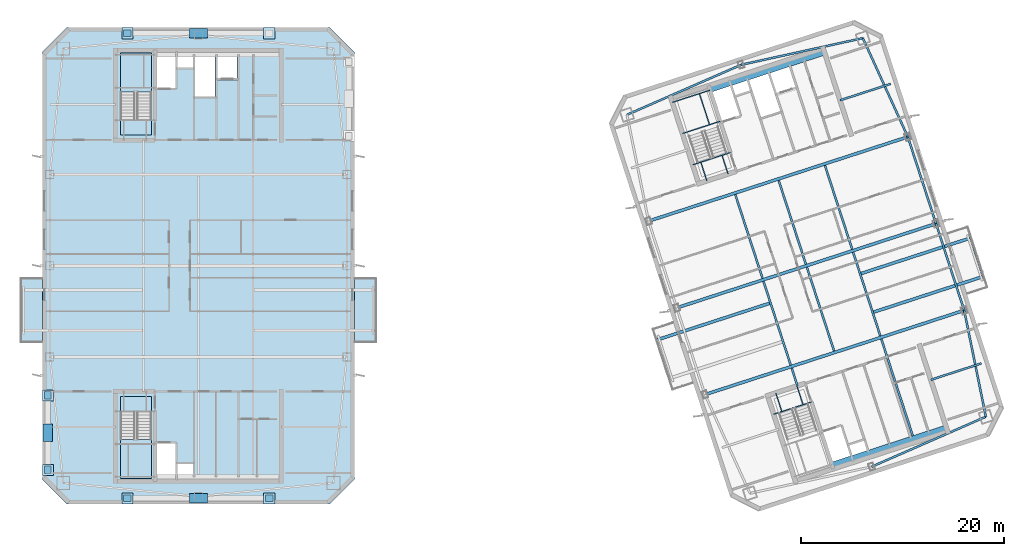
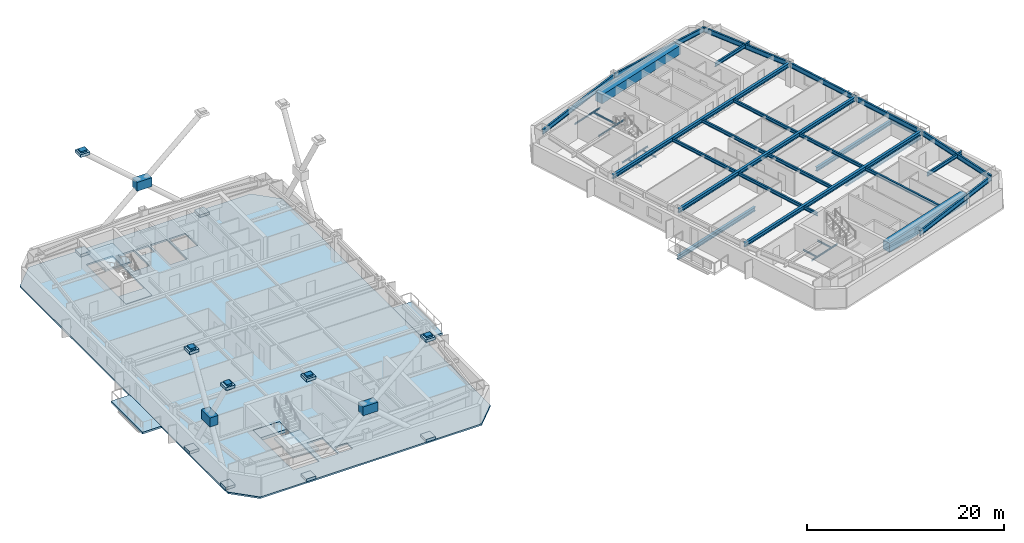
# One storey, part 4 of 18: 35 beams, 19 plates, 7 slabs, 2 elements without a shape of their own.
"""IFC4 building model written with IfcOpenShell, lengths in metres."""

from ifc_helpers import new_model, si_unit, direction, frame, origin, origin_2d, place, context, subcontext, project, spatial, polyline, rectangle, i_section, outline, extrude, material, layer, layer_set, material_profile, profile_set, type_object, element, aggregate, save


model = new_model("IFC4")

# Units and contexts
model_context = context("Model", 3, precision=1e-05, world=origin(), true_north=direction((0.0, 1.0)))
body_context = subcontext(model_context, "Body", "Model", "MODEL_VIEW")
ifc_project = project(units=[si_unit("LENGTHUNIT", "METRE"), si_unit("AREAUNIT", "SQUARE_METRE"), si_unit("VOLUMEUNIT", "CUBIC_METRE"), si_unit("PLANEANGLEUNIT", "RADIAN"), si_unit("MASSUNIT", "GRAM", prefix="KILO")], contexts=[model_context])

# Site, building, storey
site_placement = place(None, origin())
site = spatial("IfcSite", under=ifc_project, at=site_placement, CompositionType="ELEMENT")
building_placement = place(site_placement, origin())
building = spatial("IfcBuilding", under=site, at=building_placement, Name="Qiaolan Cultural Towers", CompositionType="ELEMENT")
storey_placement = place(building_placement, frame((0.0, 0.0, 237.60009765625)))
storey = spatial("IfcBuildingStorey", under=building, at=storey_placement, Name="L64", CompositionType="ELEMENT", Elevation=237.60009765625)

# Beams
ifc_material_1 = material(Name="Steel Q355B", Category="steel")
ifc_material_profile_1 = material_profile(ifc_material_1, i_section(OverallWidth=0.300048828125, OverallDepth=0.488037109375, WebThickness=0.010986328125, FlangeThickness=0.01806640625, at=origin_2d()), Name="HM488x300x11x18")
ifc_profile_set_1 = profile_set([ifc_material_profile_1], Name="Steel Q355B")
beam_type_1 = type_object("IfcBeamType", Name="BM-HM488x300x11x18", PredefinedType="BEAM", material=ifc_profile_set_1)
beam_1_placement = place(storey_placement, frame((86.4619140625, 30.326904296875, -0.524169921875), z_axis=(-0.951059870229, -0.309006671838, 0.0), x_axis=(0.309006671838, -0.951059870229, 0.0)))
element("IfcBeam", 1, at=beam_1_placement, inside=storey, type_object=beam_type_1, Name="L64 T2 Tree Balcony Back-Spanned Bracket Beam", PredefinedType="BEAM", context=body_context, shape_type="SweptSolid", body=[
    extrude(i_section(OverallWidth=0.300048828125, OverallDepth=0.488037109375, WebThickness=0.010986328125, FlangeThickness=0.01806640625, at=origin_2d()), origin(), (0.0, 0.0, 1.0), 11.75),
])
for number, where, z_axis, x_axis, name in (
    (2, (96.542724609375, 29.396484375, -0.524169921875), (0.951054749965, 0.309022430527, 0.0), (-0.309022430527, 0.951054749965, 0.0), "L64 T2 Tree Balcony Back-Spanned Bracket Beam"),
    (3, (95.306640625, 33.20068359375, -0.524169921875), (0.951054749965, 0.309022430527, 0.0), (-0.309022430527, 0.951054749965, 0.0), "L64 T2 Tree Balcony Back-Spanned Bracket Beam"),
):
    element("IfcBeam", number, at=place(storey_placement, frame(where, z_axis=z_axis, x_axis=x_axis)), inside=storey, type_object=beam_type_1, Name=name, PredefinedType="BEAM", context=body_context, shape_type="SweptSolid", body=[
        extrude(i_section(OverallWidth=0.300048828125, OverallDepth=0.488037109375, WebThickness=0.010986328125, FlangeThickness=0.01806640625, at=origin_2d()), origin(), (0.0, 0.0, 1.0), 11.4501953125),
    ])
beam_2_placement = place(storey_placement, frame((79.989501953125, 21.2841796875, 2.69580078125), z_axis=(0.951056543098, 0.309016911884, 0.0), x_axis=(-0.309016911884, 0.951056543098, 0.0)))
element("IfcBeam", 4, at=beam_2_placement, inside=storey, type_object=beam_type_1, Name="L64 T2 Primary Transverse Girder V1", PredefinedType="BEAM", context=body_context, shape_type="SweptSolid", body=[
    extrude(i_section(OverallWidth=0.300048828125, OverallDepth=0.488037109375, WebThickness=0.010986328125, FlangeThickness=0.01806640625, at=origin_2d()), origin(), (0.0, 0.0, 1.0), 26.89990234375),
])
beam_3_placement = place(storey_placement, frame((77.208251953125, 29.84375, 2.69580078125), z_axis=(0.95105740976, 0.309014244561, 0.0), x_axis=(-0.309014244561, 0.95105740976, 0.0)))
element("IfcBeam", 5, at=beam_3_placement, inside=storey, type_object=beam_type_1, Name="L64 T2 Primary Transverse Girder V2", PredefinedType="BEAM", context=body_context, shape_type="SweptSolid", body=[
    extrude(i_section(OverallWidth=0.300048828125, OverallDepth=0.488037109375, WebThickness=0.010986328125, FlangeThickness=0.01806640625, at=origin_2d()), origin(), (0.0, 0.0, 1.0), 26.900146484375),
])
beam_4_placement = place(storey_placement, frame((74.42724609375, 38.4033203125, 2.69580078125), z_axis=(0.951056543098, 0.309016911884, 0.0), x_axis=(-0.309016911884, 0.951056543098, 0.0)))
element("IfcBeam", 6, at=beam_4_placement, inside=storey, type_object=beam_type_1, Name="L64 T2 Primary Transverse Girder V3", PredefinedType="BEAM", context=body_context, shape_type="SweptSolid", body=[
    extrude(i_section(OverallWidth=0.300048828125, OverallDepth=0.488037109375, WebThickness=0.010986328125, FlangeThickness=0.01806640625, at=origin_2d()), origin(), (0.0, 0.0, 1.0), 26.89990234375),
])
ifc_material_2 = material(Name="Steel Q355B", Category="steel")
ifc_material_profile_2 = material_profile(ifc_material_2, i_section(OverallWidth=0.175048828125, OverallDepth=0.35009765625, WebThickness=0.007080078125, FlangeThickness=0.010986328125, at=origin_2d()), Name="HN350x175x7x11")
ifc_profile_set_2 = profile_set([ifc_material_profile_2], Name="Steel Q355B")
beam_type_2 = type_object("IfcBeamType", Name="BM-JST-HN350x175x7x11", PredefinedType="JOIST", material=ifc_profile_set_2)
beam_5_placement = place(storey_placement, frame((107.432373046875, 32.934814453125, -0.524169921875), z_axis=(-0.309022586479, 0.951054699292, 0.0), x_axis=(-0.951054699292, -0.309022586479, 0.0)))
element("IfcBeam", 7, at=beam_5_placement, inside=storey, type_object=beam_type_2, Name="L64 T2 Tree Balcony Outer Edge Beam", PredefinedType="JOIST", context=body_context, shape_type="SweptSolid", body=[
    extrude(i_section(OverallWidth=0.175048828125, OverallDepth=0.35009765625, WebThickness=0.007080078125, FlangeThickness=0.010986328125, at=origin_2d()), origin(), (0.0, 0.0, 1.0), 4.0),
])
ifc_material_3 = material(Name="Steel Q355B", Category="steel")
ifc_material_profile_3 = material_profile(ifc_material_3, i_section(OverallWidth=0.199951171875, OverallDepth=0.39990234375, WebThickness=0.008056640625, FlangeThickness=0.012939453125, at=origin_2d()), Name="HN400x200x8x13")
ifc_profile_set_3 = profile_set([ifc_material_profile_3], Name="Steel Q355B")
beam_type_3 = type_object("IfcBeamType", Name="BM-JST-HN400x200x8x13", PredefinedType="JOIST", material=ifc_profile_set_3)
beam_6_placement = place(storey_placement, frame((89.119384765625, 22.147705078125, 2.739990234375), z_axis=(-0.308933885266, 0.951083516067, 0.0), x_axis=(-0.951083516067, -0.308933885266, 0.0)))
element("IfcBeam", 8, at=beam_6_placement, inside=storey, type_object=beam_type_3, Name="L64 T2 Secondary Floor Joist U1-1", PredefinedType="JOIST", context=body_context, shape_type="SweptSolid", body=[
    extrude(i_section(OverallWidth=0.199951171875, OverallDepth=0.39990234375, WebThickness=0.008056640625, FlangeThickness=0.012939453125, at=origin_2d()), origin(), (0.0, 0.0, 1.0), 1.85009765625),
])
for number, where, z_axis, x_axis, name in (
    (9, (88.455078125, 24.192626953125, 2.739990234375), (-0.309020714809, 0.951055307445, 0.0), (-0.951055307445, -0.309020714809, 0.0), "L64 T2 Secondary Floor Joist U1-2"),
    (10, (85.673828125, 32.752197265625, 2.739990234375), (-0.309020714809, 0.951055307445, 0.0), (-0.951055307445, -0.309020714809, 0.0), "L64 T2 Secondary Floor Joist U1-3"),
    (11, (92.73486328125, 25.583251953125, 2.739990234375), (-0.309020714809, 0.951055307445, 0.0), (-0.951055307445, -0.309020714809, 0.0), "L64 T2 Secondary Floor Joist U2-2"),
    (12, (89.95361328125, 34.142578125, 2.739990234375), (-0.309020714809, 0.951055307445, 0.0), (-0.951055307445, -0.309020714809, 0.0), "L64 T2 Secondary Floor Joist U2-3"),
):
    element("IfcBeam", number, at=place(storey_placement, frame(where, z_axis=z_axis, x_axis=x_axis)), inside=storey, type_object=beam_type_3, Name=name, PredefinedType="JOIST", context=body_context, shape_type="SweptSolid", body=[
        extrude(i_section(OverallWidth=0.199951171875, OverallDepth=0.39990234375, WebThickness=0.008056640625, FlangeThickness=0.012939453125, at=origin_2d()), origin(), (0.0, 0.0, 1.0), 8.699951171875),
    ])
beam_7_placement = place(storey_placement, frame((100.498291015625, 17.222900390625, 2.739990234375), z_axis=(-0.309025649293, 0.951053704098, 0.0), x_axis=(-0.951053704098, -0.309025649293, 0.0)))
element("IfcBeam", 13, at=beam_7_placement, inside=storey, type_object=beam_type_3, Name="L64 T2 Secondary Floor Joist U3-1", PredefinedType="JOIST", context=body_context, shape_type="SweptSolid", body=[
    extrude(i_section(OverallWidth=0.199951171875, OverallDepth=0.39990234375, WebThickness=0.008056640625, FlangeThickness=0.012939453125, at=origin_2d()), origin(), (0.0, 0.0, 1.0), 10.050048828125),
])
for number, where, z_axis, x_axis, name in (
    (14, (97.2998046875, 27.06640625, 2.739990234375), (-0.309020714809, 0.951055307445, 0.0), (-0.951055307445, -0.309020714809, 0.0), "L64 T2 Secondary Floor Joist U3-2"),
    (15, (94.518798828125, 35.6259765625, 2.739990234375), (-0.309020714809, 0.951055307445, 0.0), (-0.951055307445, -0.309020714809, 0.0), "L64 T2 Secondary Floor Joist U3-3"),
):
    element("IfcBeam", number, at=place(storey_placement, frame(where, z_axis=z_axis, x_axis=x_axis)), inside=storey, type_object=beam_type_3, Name=name, PredefinedType="JOIST", context=body_context, shape_type="SweptSolid", body=[
        extrude(i_section(OverallWidth=0.199951171875, OverallDepth=0.39990234375, WebThickness=0.008056640625, FlangeThickness=0.012939453125, at=origin_2d()), origin(), (0.0, 0.0, 1.0), 8.699951171875),
    ])
ifc_material_4 = material(Name="Steel Q355B", Category="steel")
ifc_material_profile_4 = material_profile(ifc_material_4, i_section(OverallWidth=0.199951171875, OverallDepth=0.449951171875, WebThickness=0.009033203125, FlangeThickness=0.013916015625, at=origin_2d()), Name="HN450x200x9x14")
ifc_profile_set_4 = profile_set([ifc_material_profile_4], Name="Steel Q355B")
beam_type_4 = type_object("IfcBeamType", Name="BM-LNT-HN450x200x9x14", PredefinedType="LINTEL", material=ifc_profile_set_4)
for number, where, z_axis, x_axis, name in (
    (16, (102.279296875, 22.74365234375, 2.71484375), (0.951060037126, 0.309006158161, 0.0), (-0.309006158161, 0.951060037126, 0.0), "L64 T2 Core Flank Tie Lintel ES"),
    (17, (93.31787109375, 50.32421875, 2.71484375), (0.951060037126, 0.309006158161, 0.0), (-0.309006158161, 0.951060037126, 0.0), "L64 T2 Core Flank Tie Lintel EN"),
):
    element("IfcBeam", number, at=place(storey_placement, frame(where, z_axis=z_axis, x_axis=x_axis)), inside=storey, type_object=beam_type_4, Name=name, PredefinedType="LINTEL", context=body_context, shape_type="SweptSolid", body=[
        extrude(i_section(OverallWidth=0.199951171875, OverallDepth=0.449951171875, WebThickness=0.009033203125, FlangeThickness=0.013916015625, at=origin_2d()), origin(), (0.0, 0.0, 1.0), 5.25),
    ])
ifc_material_5 = material(Name="Concrete C50", Category="concrete")
ifc_material_profile_5 = material_profile(ifc_material_5, rectangle(XDim=0.89990234375, YDim=1.10009765625, at=origin_2d()), Name="RC900x1100")
ifc_profile_set_5 = profile_set([ifc_material_profile_5], Name="Concrete C50")
beam_type_5 = type_object("IfcBeamType", Name="BM-RC900x1100", PredefinedType="BEAM", material=ifc_profile_set_5)
for number, where, z_axis, x_axis, name in (
    (18, (92.572265625, 14.174560546875, 2.389892578125), (0.951056266386, 0.309017763514, 0.0), (-0.309017763514, 0.951056266386, 0.0), "L64 T2 Core Header Girder S"),
    (19, (80.427978515625, 51.551025390625, 2.389892578125), (0.951056266386, 0.309017763514, 0.0), (-0.309017763514, 0.951056266386, 0.0), "L64 T2 Core Header Girder N"),
):
    element("IfcBeam", number, at=place(storey_placement, frame(where, z_axis=z_axis, x_axis=x_axis)), inside=storey, type_object=beam_type_5, Name=name, PredefinedType="BEAM", context=body_context, shape_type="SweptSolid", body=[
        extrude(rectangle(XDim=0.89990234375, YDim=1.10009765625, at=origin_2d()), origin(), (0.0, 0.0, 1.0), 11.880126953125),
    ])
ifc_material_6 = material(Name="Steel Q355B", Category="steel")
ifc_material_profile_6 = material_profile(ifc_material_6, i_section(OverallWidth=0.199951171875, OverallDepth=0.60009765625, WebThickness=0.010986328125, FlangeThickness=0.01708984375, at=origin_2d()), Name="HN600x200x11x17")
ifc_profile_set_6 = profile_set([ifc_material_profile_6], Name="Steel Q355B")
beam_type_6 = type_object("IfcBeamType", Name="BM-SPD-HN600x200x11x17", PredefinedType="SPANDREL", material=ifc_profile_set_6)
beam_8_placement = place(storey_placement, frame((96.443115234375, 14.17041015625, 2.639892578125), z_axis=(0.916042038824, 0.401082264762, 0.0), x_axis=(-0.401082264762, 0.916042038824, 0.0)))
element("IfcBeam", 20, at=beam_8_placement, inside=storey, type_object=beam_type_6, Name="L64 T2 Perimeter Spandrel Beam 2", PredefinedType="SPANDREL", context=body_context, shape_type="SweptSolid", body=[
    extrude(i_section(OverallWidth=0.199951171875, OverallDepth=0.60009765625, WebThickness=0.010986328125, FlangeThickness=0.01708984375, at=origin_2d()), origin(), (0.0, 0.0, 1.0), 12.299560546875),
])
beam_9_placement = place(storey_placement, frame((107.7099609375, 19.103515625, 2.639892578125), z_axis=(-0.199578538116, 0.979881833245, 0.0), x_axis=(-0.979881833245, -0.199578538116, 0.0)))
element("IfcBeam", 21, at=beam_9_placement, inside=storey, type_object=beam_type_6, Name="L64 T2 Perimeter Spandrel Beam 3", PredefinedType="SPANDREL", context=body_context, shape_type="SweptSolid", body=[
    extrude(i_section(OverallWidth=0.199951171875, OverallDepth=0.60009765625, WebThickness=0.010986328125, FlangeThickness=0.01708984375, at=origin_2d()), origin(), (0.0, 0.0, 1.0), 10.70849609375),
])
for number, where, z_axis, x_axis, name in (
    (22, (105.57275390625, 29.5966796875, 2.639892578125), (-0.309000197986, 0.951061973609, 0.0), (-0.951061973609, -0.309000197986, 0.0), "L64 T2 Perimeter Spandrel Beam 4"),
    (23, (102.791748046875, 38.15625, 2.639892578125), (-0.309024734286, 0.951054001411, 0.0), (-0.951054001411, -0.309024734286, 0.0), "L64 T2 Perimeter Spandrel Beam 5"),
):
    element("IfcBeam", number, at=place(storey_placement, frame(where, z_axis=z_axis, x_axis=x_axis)), inside=storey, type_object=beam_type_6, Name=name, PredefinedType="SPANDREL", context=body_context, shape_type="SweptSolid", body=[
        extrude(i_section(OverallWidth=0.199951171875, OverallDepth=0.60009765625, WebThickness=0.010986328125, FlangeThickness=0.01708984375, at=origin_2d()), origin(), (0.0, 0.0, 1.0), 9.0),
    ])
beam_10_placement = place(storey_placement, frame((100.010498046875, 46.7158203125, 2.639892578125), z_axis=(-0.414500208282, 0.910049216985, 0.0), x_axis=(-0.910049216985, -0.414500208282, 0.0)))
element("IfcBeam", 24, at=beam_10_placement, inside=storey, type_object=beam_type_6, Name="L64 T2 Perimeter Spandrel Beam 6", PredefinedType="SPANDREL", context=body_context, shape_type="SweptSolid", body=[
    extrude(i_section(OverallWidth=0.199951171875, OverallDepth=0.60009765625, WebThickness=0.010986328125, FlangeThickness=0.01708984375, at=origin_2d()), origin(), (0.0, 0.0, 1.0), 10.70849609375),
])
beam_11_placement = place(storey_placement, frame((95.57177734375, 56.461181640625, 2.639892578125), z_axis=(-0.976843395078, -0.213955559619, 0.0), x_axis=(0.213955559619, -0.976843395078, 0.0)))
element("IfcBeam", 25, at=beam_11_placement, inside=storey, type_object=beam_type_6, Name="L64 T2 Perimeter Spandrel Beam 7", PredefinedType="SPANDREL", context=body_context, shape_type="SweptSolid", body=[
    extrude(i_section(OverallWidth=0.199951171875, OverallDepth=0.60009765625, WebThickness=0.010986328125, FlangeThickness=0.01708984375, at=origin_2d()), origin(), (0.0, 0.0, 1.0), 12.2998046875),
])
beam_12_placement = place(storey_placement, frame((83.556884765625, 53.82958984375, 2.639892578125), z_axis=(-0.916042038824, -0.401082264762, 0.0), x_axis=(0.401082264762, -0.916042038824, 0.0)))
element("IfcBeam", 26, at=beam_12_placement, inside=storey, type_object=beam_type_6, Name="L64 T2 Perimeter Spandrel Beam 8", PredefinedType="SPANDREL", context=body_context, shape_type="SweptSolid", body=[
    extrude(i_section(OverallWidth=0.199951171875, OverallDepth=0.60009765625, WebThickness=0.010986328125, FlangeThickness=0.01708984375, at=origin_2d()), origin(), (0.0, 0.0, 1.0), 12.299560546875),
])
ifc_material_7 = material(Name="Steel Q355B", Category="steel")
ifc_material_profile_7 = material_profile(ifc_material_7, i_section(OverallWidth=0.10009765625, OverallDepth=0.199951171875, WebThickness=0.005615234375, FlangeThickness=0.008056640625, at=origin_2d()), Name="HN200x100x5.5x8")
ifc_profile_set_7 = profile_set([ifc_material_profile_7], Name="Steel Q355B")
beam_type_7 = type_object("IfcBeamType", Name="BM-STTRIM-200", PredefinedType="BEAM", material=ifc_profile_set_7)
beam_13_placement = place(storey_placement, frame((86.770751953125, 19.3447265625, -0.460205078125), z_axis=(0.951047798727, 0.309043823005, 0.0), x_axis=(-0.309043823005, 0.951047798727, 0.0)))
element("IfcBeam", 27, at=beam_13_placement, inside=storey, type_object=beam_type_7, Name="L64 ST-E1 Floor Landing Header Beam", PredefinedType="BEAM", context=body_context, shape_type="SweptSolid", body=[
    extrude(i_section(OverallWidth=0.10009765625, OverallDepth=0.199951171875, WebThickness=0.005615234375, FlangeThickness=0.008056640625, at=origin_2d()), origin(), (0.0, 0.0, 1.0), 3.919921875),
])
for number, where, z_axis, x_axis, name in (
    (28, (86.9794921875, 21.452392578125, -0.460205078125), (0.309083226701, -0.951034993558, 0.0), (0.951034993558, 0.309083226701, 0.0), "L64 ST-E1 Floor Landing Stringer 1"),
    (29, (89.07177734375, 22.13232421875, -0.460205078125), (0.309083226701, -0.951034993558, 0.0), (0.951034993558, 0.309083226701, 0.0), "L64 ST-E1 Floor Landing Stringer 2"),
):
    element("IfcBeam", number, at=place(storey_placement, frame(where, z_axis=z_axis, x_axis=x_axis)), inside=storey, type_object=beam_type_7, Name=name, PredefinedType="BEAM", context=body_context, shape_type="SweptSolid", body=[
        extrude(i_section(OverallWidth=0.10009765625, OverallDepth=0.199951171875, WebThickness=0.005615234375, FlangeThickness=0.008056640625, at=origin_2d()), origin(), (0.0, 0.0, 1.0), 1.93994140625),
    ])
beam_14_placement = place(storey_placement, frame((78.773193359375, 43.958251953125, -0.460205078125), z_axis=(0.951072048947, 0.3089691857, 0.0), x_axis=(-0.3089691857, 0.951072048947, 0.0)))
element("IfcBeam", 30, at=beam_14_placement, inside=storey, type_object=beam_type_7, Name="L64 ST-E2 Floor Landing Header Beam", PredefinedType="BEAM", context=body_context, shape_type="SweptSolid", body=[
    extrude(i_section(OverallWidth=0.10009765625, OverallDepth=0.199951171875, WebThickness=0.005615234375, FlangeThickness=0.008056640625, at=origin_2d()), origin(), (0.0, 0.0, 1.0), 3.920166015625),
])
for number, where, z_axis, x_axis, name in (
    (31, (80.18115234375, 42.375732421875, -0.460205078125), (-0.308969394428, 0.951071981138, 0.0), (-0.951071981138, -0.308969394428, 0.0), "L64 ST-E2 Floor Landing Stringer 1"),
    (32, (82.2734375, 43.0556640625, -0.460205078125), (-0.308969394428, 0.951071981138, 0.0), (-0.951071981138, -0.308969394428, 0.0), "L64 ST-E2 Floor Landing Stringer 2"),
):
    element("IfcBeam", number, at=place(storey_placement, frame(where, z_axis=z_axis, x_axis=x_axis)), inside=storey, type_object=beam_type_7, Name=name, PredefinedType="BEAM", context=body_context, shape_type="SweptSolid", body=[
        extrude(i_section(OverallWidth=0.10009765625, OverallDepth=0.199951171875, WebThickness=0.005615234375, FlangeThickness=0.008056640625, at=origin_2d()), origin(), (0.0, 0.0, 1.0), 1.93994140625),
    ])
for number, where, z_axis, x_axis, name in (
    (33, (77.769287109375, 47.0478515625, 1.2998046875), (0.951053746643, 0.309025518358, 0.0), (-0.309025518358, 0.951053746643, 0.0), "L64 ST-E2 Stair Landing Support Beam 1-1"),
    (34, (76.770751953125, 50.12109375, 1.2998046875), (0.951072048947, 0.3089691857, 0.0), (-0.3089691857, 0.951072048947, 0.0), "L64 ST-E2 Stair Landing Support Beam 1-2"),
):
    element("IfcBeam", number, at=place(storey_placement, frame(where, z_axis=z_axis, x_axis=x_axis)), inside=storey, type_object=beam_type_7, Name=name, PredefinedType="BEAM", context=body_context, shape_type="SweptSolid", body=[
        extrude(i_section(OverallWidth=0.10009765625, OverallDepth=0.199951171875, WebThickness=0.005615234375, FlangeThickness=0.008056640625, at=origin_2d()), origin(), (0.0, 0.0, 1.0), 3.920166015625),
    ])
beam_15_placement = place(storey_placement, frame((80.44189453125, 47.916259765625, 1.2998046875), z_axis=(-0.309033108495, 0.951051280349, 0.0), x_axis=(-0.951051280349, -0.309033108495, 0.0)))
element("IfcBeam", 35, at=beam_15_placement, inside=storey, type_object=beam_type_7, Name="L64 ST-E2 Stair Landing Trimmer 1", PredefinedType="BEAM", context=body_context, shape_type="SweptSolid", body=[
    extrude(i_section(OverallWidth=0.10009765625, OverallDepth=0.199951171875, WebThickness=0.005615234375, FlangeThickness=0.008056640625, at=origin_2d()), origin(), (0.0, 0.0, 1.0), 3.231201171875),
])

# Plates
ifc_material_8 = material(Name="Steel Q355B", Category="steel")
ifc_layer_1 = layer(ifc_material_8, 0.035888671875)
ifc_layer_set_1 = layer_set([ifc_layer_1], Name="Steel Q355B")
plate_type_1 = type_object("IfcPlateType", Name="PL-CONN-36", PredefinedType="USERDEFINED", material=ifc_layer_set_1)
for number, where, z_axis, x_axis, name in (
    (36, (15.14990234375, 21.199951171875, 12.1298828125), (0.0, 0.0, 1.0), (0.0, 1.0, 0.0), "L64 Brace End Connection Gusset Plate GP-02-0380"),
    (37, (15.14990234375, 13.85009765625, 12.1298828125), (0.0, 0.0, 1.0), (0.0, 1.0, 0.0), "L64 Brace End Connection Gusset Plate GP-02-0381"),
    (38, (37.0, 11.050048828125, 12.1298828125), (0.0, 0.0, 1.0), (1.0, 0.0, 0.0), "L64 Brace End Connection Gusset Plate GP-02-0384"),
    (39, (23.0, 11.050048828125, 12.1298828125), (0.0, 0.0, 1.0), (1.0, 0.0, 0.0), "L64 Brace End Connection Gusset Plate GP-02-0385"),
    (40, (23.0, 56.949951171875, 12.1298828125), (0.0, 0.0, 1.0), (1.0, 0.0, 0.0), "L64 Brace End Connection Gusset Plate GP-02-0387"),
):
    element("IfcPlate", number, at=place(storey_placement, frame(where, z_axis=z_axis, x_axis=x_axis)), inside=storey, type_object=plate_type_1, Name=name, ObjectType="GUSSET_PLATE", PredefinedType="USERDEFINED", context=body_context, shape_type="SweptSolid", body=[
        extrude(rectangle(XDim=0.739990234375, YDim=0.6201171875, at=origin_2d()), origin(), (0.0, 0.0, 1.0), 0.739990234375),
    ])
ifc_material_9 = material(Name="Steel Q355B", Category="steel")
ifc_layer_2 = layer(ifc_material_9, 0.030029296875)
ifc_layer_set_2 = layer_set([ifc_layer_2], Name="Steel Q355B")
plate_type_2 = type_object("IfcPlateType", Name="PL-ENDCAP-30", PredefinedType="USERDEFINED", material=ifc_layer_set_2)
for number, where, z_axis, x_axis, name in (
    (41, (15.14990234375, 13.85009765625, -0.025146484375), (0.0, 0.0, 1.0), (0.0, 1.0, 0.0), "Hollow Brace End Seal Cap Plate CP-01"),
    (42, (15.14990234375, 21.199951171875, -0.025146484375), (0.0, 0.0, 1.0), (0.0, 1.0, 0.0), "Hollow Brace End Seal Cap Plate CP-01"),
    (43, (15.14990234375, 13.85009765625, 12.324951171875), (0.0, 0.0, 1.0), (0.0, 1.0, 0.0), "Hollow Brace End Seal Cap Plate CP-01"),
    (44, (15.14990234375, 21.199951171875, 12.324951171875), (0.0, 0.0, 1.0), (0.0, 1.0, 0.0), "Hollow Brace End Seal Cap Plate CP-01"),
    (45, (23.0, 11.050048828125, -0.025146484375), (0.0, 0.0, 1.0), (1.0, 0.0, 0.0), "Hollow Brace End Seal Cap Plate CP-01"),
    (46, (37.0, 11.050048828125, -0.025146484375), (0.0, 0.0, 1.0), (1.0, 0.0, 0.0), "Hollow Brace End Seal Cap Plate CP-01"),
    (47, (23.0, 11.050048828125, 12.324951171875), (0.0, 0.0, 1.0), (1.0, 0.0, 0.0), "Hollow Brace End Seal Cap Plate CP-01"),
    (48, (37.0, 11.050048828125, 12.324951171875), (0.0, 0.0, 1.0), (1.0, 0.0, 0.0), "Hollow Brace End Seal Cap Plate CP-01"),
    (49, (23.0, 56.949951171875, -0.025146484375), (0.0, 0.0, 1.0), (1.0, 0.0, 0.0), "Hollow Brace End Seal Cap Plate CP-01"),
    (50, (37.0, 56.949951171875, -0.025146484375), (0.0, 0.0, 1.0), (1.0, 0.0, 0.0), "Hollow Brace End Seal Cap Plate CP-01"),
    (51, (23.0, 56.949951171875, 12.324951171875), (0.0, 0.0, 1.0), (1.0, 0.0, 0.0), "Hollow Brace End Seal Cap Plate CP-01"),
):
    element("IfcPlate", number, at=place(storey_placement, frame(where, z_axis=z_axis, x_axis=x_axis)), inside=storey, type_object=plate_type_2, Name=name, ObjectType="BASE_PLATE", PredefinedType="USERDEFINED", context=body_context, shape_type="SweptSolid", body=[
        extrude(rectangle(XDim=1.10009765625, YDim=1.10009765625, at=origin_2d()), origin(), (0.0, 0.0, 1.0), 0.35009765625),
    ])
ifc_material_10 = material(Name="Steel Q390GJB", Category="steel")
ifc_layer_3 = layer(ifc_material_10, 0.0419921875)
ifc_layer_set_3 = layer_set([ifc_layer_3], Name="Steel Q390GJB")
plate_type_3 = type_object("IfcPlateType", Name="PL-NODE-ND01", PredefinedType="USERDEFINED", material=ifc_layer_set_3)
plate_1_placement = place(storey_placement, frame((30.0, 56.949951171875, 5.77490234375), z_axis=(0.0, 0.0, 1.0), x_axis=(1.0, 0.0, 0.0)))
element("IfcPlate", 52, at=plate_1_placement, inside=storey, type_object=plate_type_3, Name="Perimeter Frame Gusset Node Assembly ND-01", ObjectType="GUSSET_PLATE", PredefinedType="USERDEFINED", context=body_context, shape_type="SweptSolid", body=[
    extrude(rectangle(XDim=1.760009765625, YDim=0.9599609375, at=origin_2d()), origin(), (0.0, 0.0, 1.0), 1.10009765625),
])
ifc_material_11 = material(Name="Steel Q390GJB", Category="steel")
ifc_layer_4 = layer(ifc_material_11, 0.0439453125)
ifc_layer_set_4 = layer_set([ifc_layer_4], Name="Steel Q390GJB")
plate_type_4 = type_object("IfcPlateType", Name="PL-NODE-ND10", PredefinedType="USERDEFINED", material=ifc_layer_set_4)
plate_2_placement = place(storey_placement, frame((15.14990234375, 17.52490234375, 5.77490234375), z_axis=(0.0, 0.0, 1.0), x_axis=(0.0, 1.0, 0.0)))
element("IfcPlate", 53, at=plate_2_placement, inside=storey, type_object=plate_type_4, Name="Perimeter Frame Gusset Node Assembly ND-10", ObjectType="GUSSET_PLATE", PredefinedType="USERDEFINED", context=body_context, shape_type="SweptSolid", body=[
    extrude(rectangle(XDim=1.760009765625, YDim=0.9599609375, at=origin_2d()), origin(), (0.0, 0.0, 1.0), 1.10009765625),
])
ifc_material_12 = material(Name="Steel Q390GJB", Category="steel")
ifc_layer_5 = layer(ifc_material_12, 0.0400390625)
ifc_layer_set_5 = layer_set([ifc_layer_5], Name="Steel Q390GJB")
plate_type_5 = type_object("IfcPlateType", Name="PL-NODE-ND12", PredefinedType="USERDEFINED", material=ifc_layer_set_5)
plate_3_placement = place(storey_placement, frame((30.0, 11.050048828125, 5.77490234375), z_axis=(0.0, 0.0, 1.0), x_axis=(1.0, 0.0, 0.0)))
element("IfcPlate", 54, at=plate_3_placement, inside=storey, type_object=plate_type_5, Name="Perimeter Frame Gusset Node Assembly ND-12", ObjectType="GUSSET_PLATE", PredefinedType="USERDEFINED", context=body_context, shape_type="SweptSolid", body=[
    extrude(rectangle(XDim=1.760009765625, YDim=0.9599609375, at=origin_2d()), origin(), (0.0, 0.0, 1.0), 1.10009765625),
])

# Slabs
ifc_material_13 = material(Name="Concrete C45", Category="concrete")
ifc_layer_6 = layer(ifc_material_13, 0.239990234375)
ifc_layer_set_6 = layer_set([ifc_layer_6], Name="Concrete C45")
slab_type_1 = type_object("IfcSlabType", Name="SL-BAL-240", PredefinedType="FLOOR", material=ifc_layer_set_6)
slab_1_placement = place(storey_placement, frame((0.0, 0.0, -0.239990234375)))
element("IfcSlab", 55, at=slab_1_placement, inside=storey, type_object=slab_type_1, Name="L64 T1 Planted Tree Balcony W", PredefinedType="FLOOR", context=body_context, shape_type="SweptSolid", body=[
    extrude(outline(polyline([(12.39990234375, 26.39990234375), (14.60009765625, 26.39990234375), (14.60009765625, 32.800048828125), (12.39990234375, 32.800048828125), (12.39990234375, 26.39990234375)])), origin(), (0.0, 0.0, 1.0), 0.239990234375),
])
slab_2_placement = place(storey_placement, frame((0.0, 0.0, -0.239990234375)))
element("IfcSlab", 56, at=slab_2_placement, inside=storey, type_object=slab_type_1, Name="L64 T1 Planted Tree Balcony E", PredefinedType="FLOOR", context=body_context, shape_type="SweptSolid", body=[
    extrude(outline(polyline([(45.39990234375, 26.39990234375), (47.60009765625, 26.39990234375), (47.60009765625, 32.800048828125), (45.39990234375, 32.800048828125), (45.39990234375, 26.39990234375)])), origin(), (0.0, 0.0, 1.0), 0.239990234375),
])
ifc_material_14 = material(Name="Concrete C45", Category="concrete")
ifc_layer_7 = layer(ifc_material_14, 0.199951171875)
ifc_layer_set_7 = layer_set([ifc_layer_7], Name="Concrete C45")
slab_type_2 = type_object("IfcSlabType", Name="SL-HI-200", PredefinedType="FLOOR", material=ifc_layer_set_7)
slab_3_placement = place(storey_placement, frame((0.0, 0.0, -0.2001953125)))
element("IfcSlab", 57, at=slab_3_placement, inside=storey, type_object=slab_type_2, Name="L64 West Tower Floor Slab", PredefinedType="FLOOR", context=body_context, shape_type="SweptSolid", body=[
    extrude(outline(polyline([(17.0, 10.5), (43.0, 10.5), (45.39990234375, 12.89990234375), (45.39990234375, 55.10009765625), (43.0, 57.5), (17.0, 57.5), (14.60009765625, 55.10009765625), (14.60009765625, 12.89990234375), (17.0, 10.5)]), holes=[polyline([(22.300048828125, 21.10009765625), (22.300048828125, 13.0), (25.3798828125, 13.0), (25.3798828125, 21.10009765625), (22.300048828125, 21.10009765625)]), polyline([(25.3798828125, 46.89990234375), (25.3798828125, 55.0), (22.300048828125, 55.0), (22.300048828125, 46.89990234375), (25.3798828125, 46.89990234375)]), polyline([(25.89990234375, 13.199951171875), (27.75, 13.199951171875), (27.75, 16.449951171875), (25.89990234375, 16.449951171875), (25.89990234375, 13.199951171875)]), polyline([(27.93994140625, 13.25), (29.449951171875, 13.25), (29.449951171875, 14.419921875), (27.93994140625, 14.419921875), (27.93994140625, 13.25)]), polyline([(25.89990234375, 51.550048828125), (27.75, 51.550048828125), (27.75, 54.800048828125), (25.89990234375, 54.800048828125), (25.89990234375, 51.550048828125)]), polyline([(27.93994140625, 53.580078125), (29.449951171875, 53.580078125), (29.449951171875, 54.75), (27.93994140625, 54.75), (27.93994140625, 53.580078125)]), polyline([(31.8798828125, 52.27001953125), (33.820068359375, 52.27001953125), (33.820068359375, 54.75), (31.8798828125, 54.75), (31.8798828125, 52.27001953125)]), polyline([(29.679931640625, 50.719970703125), (31.659912109375, 50.719970703125), (31.659912109375, 54.75), (29.679931640625, 54.75), (29.679931640625, 50.719970703125)])]), origin(), (0.0, 0.0, 1.0), 0.2001953125),
])

# Stair, slab
ifc_material_15 = material(Name="Concrete C45", Category="concrete")
stair_type = type_object("IfcStairType", Name="STR-CORE-1500", PredefinedType="HALF_TURN_STAIR", material=ifc_material_15)
stair_1_placement = place(storey_placement, origin())
stair_1 = element("IfcStair", 58, at=stair_1_placement, inside=storey, type_object=stair_type, Name="L64 Smokeproof Exit Stair ST-W1", PredefinedType="HALF_TURN_STAIR")
ifc_material_16 = material(Name="Concrete C45", Category="concrete")
ifc_layer_8 = layer(ifc_material_16, 0.199951171875)
ifc_layer_set_8 = layer_set([ifc_layer_8], Name="Concrete C45")
slab_type_3 = type_object("IfcSlabType", Name="SL-STAIR-LAND", PredefinedType="LANDING", material=ifc_layer_set_8)
slab_4_placement = place(storey_placement, frame((0.0, 0.0, 1.39990234375)))
slab_4 = element("IfcSlab", 59, at=slab_4_placement, type_object=slab_type_3, Name="ST-W1 landing 1", PredefinedType="LANDING", context=body_context, shape_type="SweptSolid", body=[
    extrude(outline(polyline([(22.300048828125, 16.851318359375), (22.300048828125, 13.0), (25.3798828125, 13.0), (25.3798828125, 16.851318359375), (22.300048828125, 16.851318359375)])), origin(), (0.0, 0.0, 1.0), 0.199951171875),
])
aggregate(stair_1, [slab_4])

stair_2_placement = place(storey_placement, origin())
stair_2 = element("IfcStair", 60, at=stair_2_placement, inside=storey, type_object=stair_type, Name="L64 Smokeproof Exit Stair ST-W2", PredefinedType="HALF_TURN_STAIR")
slab_5_placement = place(storey_placement, frame((0.0, 0.0, 1.39990234375)))
slab_5 = element("IfcSlab", 61, at=slab_5_placement, type_object=slab_type_3, Name="ST-W2 landing 1", PredefinedType="LANDING", context=body_context, shape_type="SweptSolid", body=[
    extrude(outline(polyline([(25.3798828125, 51.148681640625), (25.3798828125, 55.0), (22.300048828125, 55.0), (22.300048828125, 51.148681640625), (25.3798828125, 51.148681640625)])), origin(), (0.0, 0.0, 1.0), 0.199951171875),
])
aggregate(stair_2, [slab_5])

# Slabs
ifc_material_17 = material(Name="Concrete C40", Category="concrete")
ifc_layer_9 = layer(ifc_material_17, 0.360107421875)
ifc_layer_set_9 = layer_set([ifc_layer_9], Name="Concrete C40")
slab_type_4 = type_object("IfcSlabType", Name="SL-STFLR-360", PredefinedType="LANDING", material=ifc_layer_set_9)
slab_6_placement = place(storey_placement, frame((0.0, 0.0, -0.360107421875)))
element("IfcSlab", 62, at=slab_6_placement, inside=storey, type_object=slab_type_4, Name="L64 ST-W1 Stair Floor Landing Slab", PredefinedType="LANDING", context=body_context, shape_type="SweptSolid", body=[
    extrude(outline(polyline([(22.302001953125, 21.097900390625), (22.302001953125, 19.548583984375), (25.3779296875, 19.548583984375), (25.3779296875, 21.097900390625), (22.302001953125, 21.097900390625)])), origin(), (0.0, 0.0, 1.0), 0.360107421875),
])
slab_7_placement = place(storey_placement, frame((0.0, 0.0, -0.360107421875)))
element("IfcSlab", 63, at=slab_7_placement, inside=storey, type_object=slab_type_4, Name="L64 ST-W2 Stair Floor Landing Slab", PredefinedType="LANDING", context=body_context, shape_type="SweptSolid", body=[
    extrude(outline(polyline([(25.3779296875, 46.902099609375), (25.3779296875, 48.451416015625), (22.302001953125, 48.451416015625), (22.302001953125, 46.902099609375), (25.3779296875, 46.902099609375)])), origin(), (0.0, 0.0, 1.0), 0.360107421875),
])

save(model, "model.ifc")
